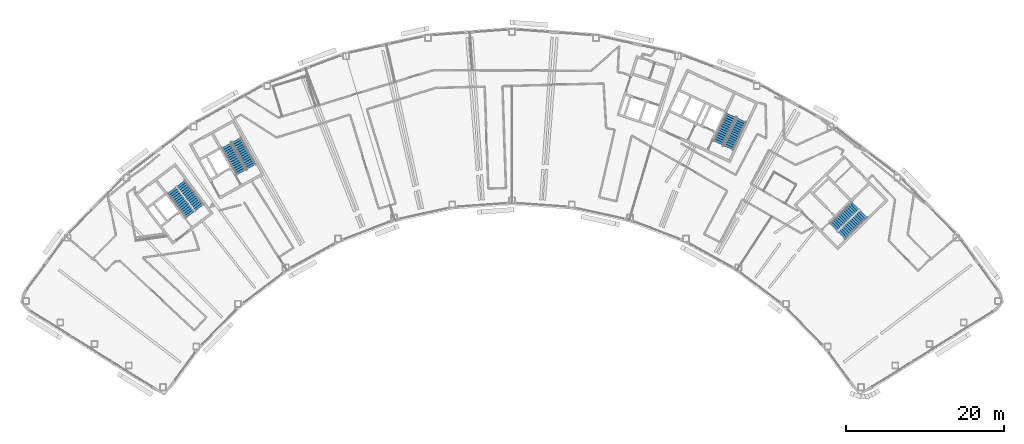
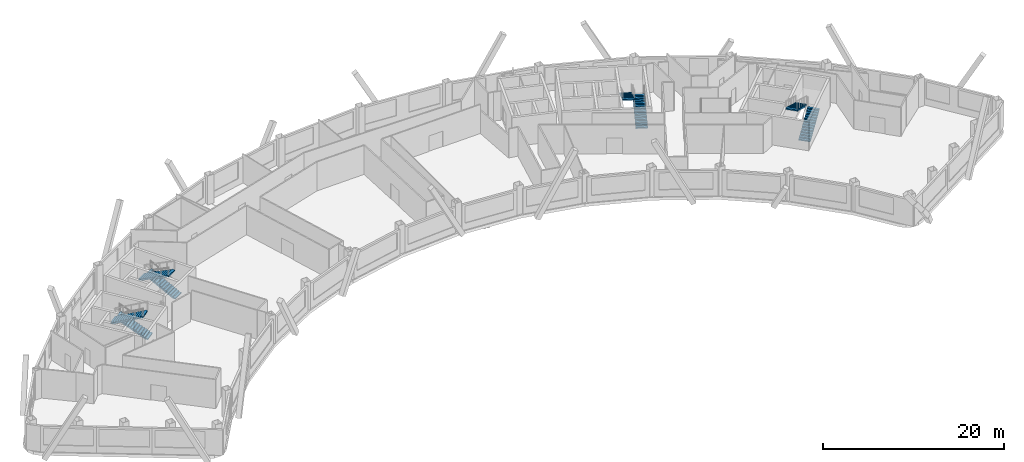
# One storey, part 11 of 13: 8 stair flights, 4 elements without a shape of their own.
"""IFC4 building model written with IfcOpenShell, lengths in metres."""

from ifc_helpers import new_model, si_unit, direction, frame, origin, place, context, subcontext, project, spatial, polyline, outline, extrude, material, type_object, element, aggregate, save


model = new_model("IFC4")

# Units and contexts
model_context = context("Model", 3, precision=1e-05, world=origin(), true_north=direction((0.0, 1.0)))
body_context = subcontext(model_context, "Body", "Model", "MODEL_VIEW")
ifc_project = project(units=[si_unit("LENGTHUNIT", "METRE"), si_unit("AREAUNIT", "SQUARE_METRE"), si_unit("VOLUMEUNIT", "CUBIC_METRE"), si_unit("PLANEANGLEUNIT", "RADIAN"), si_unit("MASSUNIT", "GRAM", prefix="KILO")], contexts=[model_context])

# Site, building, storey
site_placement = place(None, origin())
site = spatial("IfcSite", under=ifc_project, at=site_placement, CompositionType="ELEMENT")
building_placement = place(site_placement, origin())
building = spatial("IfcBuilding", under=site, at=building_placement, Name="Tuul Gate Civic Tower", CompositionType="ELEMENT")
storey_placement = place(building_placement, frame((0.0, 0.0, 285.800048828125)))
storey = spatial("IfcBuildingStorey", under=building, at=storey_placement, Name="Level 64", CompositionType="ELEMENT", Elevation=285.800048828125)

# Stair, stair flights
ifc_material_1 = material(Name="Concrete C40/50", Category="concrete")
stair_type = type_object("IfcStairType", Name="Exit stair", PredefinedType="HALF_TURN_STAIR", material=ifc_material_1)
stair_1_placement = place(storey_placement, origin())
stair_1 = element("IfcStair", 1, at=stair_1_placement, inside=storey, type_object=stair_type, Name="Level 64 ST-1", PredefinedType="HALF_TURN_STAIR")
ifc_material_2 = material(Name="Concrete C40/50", Category="concrete")
stair_flight_type = type_object("IfcStairFlightType", Name="Exit stair flight", PredefinedType="STRAIGHT", material=ifc_material_2)
stair_flight_1_placement = place(storey_placement, frame((-32.875244140625, -13.066650390625, 0.0), z_axis=(0.0, 0.0, 1.0), x_axis=(-0.605764474941, 0.795644016442, 0.0)))
stair_flight_1 = element("IfcStairFlight", 2, at=stair_flight_1_placement, type_object=stair_flight_type, Name="ST-1 flight 1", NumberOfRisers=14, NumberOfTreads=13, PredefinedType="STRAIGHT", RiserHeight=0.15, TreadLength=0.3, context=body_context, shape_type="SweptSolid", body=[
    extrude(outline(polyline([(0.0, 0.0), (0.0, 0.14990234375), (0.300048828125, 0.14990234375), (0.300048828125, 0.300048828125), (0.60009765625, 0.300048828125), (0.60009765625, 0.449951171875), (0.89990234375, 0.449951171875), (0.89990234375, 0.60009765625), (1.199951171875, 0.60009765625), (1.199951171875, 0.75), (1.5, 0.75), (1.5, 0.89990234375), (1.800048828125, 0.89990234375), (1.800048828125, 1.050048828125), (2.10009765625, 1.050048828125), (2.10009765625, 1.199951171875), (2.39990234375, 1.199951171875), (2.39990234375, 1.35009765625), (2.699951171875, 1.35009765625), (2.699951171875, 1.5), (3.0, 1.5), (3.0, 1.64990234375), (3.300048828125, 1.64990234375), (3.300048828125, 1.800048828125), (3.60009765625, 1.800048828125), (3.60009765625, 1.949951171875), (3.89990234375, 1.949951171875), (3.89990234375, 2.10009765625), (3.89990234375, 1.782470703125), (0.335205078125, 0.0), (0.0, 0.0)])), frame((0.0, 0.675048828125, 0.0), z_axis=(0.0, -1.0, 0.0), x_axis=(1.0, 0.0, 0.0)), (0.0, 0.0, 1.0), 1.35009765625),
])
stair_flight_2_placement = place(storey_placement, frame((-36.391357421875, -10.842041015625, 2.099853515625), z_axis=(0.0, 0.0, 1.0), x_axis=(0.605764474941, -0.795644016442, 0.0)))
stair_flight_2 = element("IfcStairFlight", 3, at=stair_flight_2_placement, type_object=stair_flight_type, Name="ST-1 flight 2", NumberOfRisers=14, NumberOfTreads=13, PredefinedType="STRAIGHT", RiserHeight=0.15, TreadLength=0.3, context=body_context, shape_type="SweptSolid", body=[
    extrude(outline(polyline([(0.0, 0.0), (0.0, 0.14990234375), (0.300048828125, 0.14990234375), (0.300048828125, 0.300048828125), (0.60009765625, 0.300048828125), (0.60009765625, 0.449951171875), (0.89990234375, 0.449951171875), (0.89990234375, 0.60009765625), (1.199951171875, 0.60009765625), (1.199951171875, 0.75), (1.5, 0.75), (1.5, 0.89990234375), (1.800048828125, 0.89990234375), (1.800048828125, 1.050048828125), (2.10009765625, 1.050048828125), (2.10009765625, 1.199951171875), (2.39990234375, 1.199951171875), (2.39990234375, 1.35009765625), (2.699951171875, 1.35009765625), (2.699951171875, 1.5), (3.0, 1.5), (3.0, 1.64990234375), (3.300048828125, 1.64990234375), (3.300048828125, 1.800048828125), (3.60009765625, 1.800048828125), (3.60009765625, 1.949951171875), (3.89990234375, 1.949951171875), (3.89990234375, 2.10009765625), (3.89990234375, 1.782470703125), (0.335205078125, 0.0), (0.0, 0.0)])), frame((0.0, 0.675048828125, 0.0), z_axis=(0.0, -1.0, 0.0), x_axis=(1.0, 0.0, 0.0)), (0.0, 0.0, 1.0), 1.35009765625),
])
aggregate(stair_1, [stair_flight_1, stair_flight_2])

stair_2_placement = place(storey_placement, origin())
stair_2 = element("IfcStair", 4, at=stair_2_placement, inside=storey, type_object=stair_type, Name="Level 64 ST-2", PredefinedType="HALF_TURN_STAIR")
stair_flight_3_placement = place(storey_placement, frame((-26.29150390625, -7.87646484375, 0.0), z_axis=(0.0, 0.0, 1.0), x_axis=(-0.484761763766, 0.874646232708, 0.0)))
stair_flight_3 = element("IfcStairFlight", 5, at=stair_flight_3_placement, type_object=stair_flight_type, Name="ST-2 flight 1", NumberOfRisers=14, NumberOfTreads=13, PredefinedType="STRAIGHT", RiserHeight=0.15, TreadLength=0.3, context=body_context, shape_type="SweptSolid", body=[
    extrude(outline(polyline([(0.0, 0.0), (0.0, 0.14990234375), (0.300048828125, 0.14990234375), (0.300048828125, 0.300048828125), (0.60009765625, 0.300048828125), (0.60009765625, 0.449951171875), (0.89990234375, 0.449951171875), (0.89990234375, 0.60009765625), (1.199951171875, 0.60009765625), (1.199951171875, 0.75), (1.5, 0.75), (1.5, 0.89990234375), (1.800048828125, 0.89990234375), (1.800048828125, 1.050048828125), (2.10009765625, 1.050048828125), (2.10009765625, 1.199951171875), (2.39990234375, 1.199951171875), (2.39990234375, 1.35009765625), (2.699951171875, 1.35009765625), (2.699951171875, 1.5), (3.0, 1.5), (3.0, 1.64990234375), (3.300048828125, 1.64990234375), (3.300048828125, 1.800048828125), (3.60009765625, 1.800048828125), (3.60009765625, 1.949951171875), (3.89990234375, 1.949951171875), (3.89990234375, 2.10009765625), (3.89990234375, 1.782470703125), (0.335205078125, 0.0), (0.0, 0.0)])), frame((0.0, 0.675048828125, 0.0), z_axis=(0.0, -1.0, 0.0), x_axis=(1.0, 0.0, 0.0)), (0.0, 0.0, 1.0), 1.35009765625),
])
stair_flight_4_placement = place(storey_placement, frame((-29.450439453125, -5.168212890625, 2.099853515625), z_axis=(0.0, 0.0, 1.0), x_axis=(0.484761763766, -0.874646232708, 0.0)))
stair_flight_4 = element("IfcStairFlight", 6, at=stair_flight_4_placement, type_object=stair_flight_type, Name="ST-2 flight 2", NumberOfRisers=14, NumberOfTreads=13, PredefinedType="STRAIGHT", RiserHeight=0.15, TreadLength=0.3, context=body_context, shape_type="SweptSolid", body=[
    extrude(outline(polyline([(0.0, 0.0), (0.0, 0.14990234375), (0.300048828125, 0.14990234375), (0.300048828125, 0.300048828125), (0.60009765625, 0.300048828125), (0.60009765625, 0.449951171875), (0.89990234375, 0.449951171875), (0.89990234375, 0.60009765625), (1.199951171875, 0.60009765625), (1.199951171875, 0.75), (1.5, 0.75), (1.5, 0.89990234375), (1.800048828125, 0.89990234375), (1.800048828125, 1.050048828125), (2.10009765625, 1.050048828125), (2.10009765625, 1.199951171875), (2.39990234375, 1.199951171875), (2.39990234375, 1.35009765625), (2.699951171875, 1.35009765625), (2.699951171875, 1.5), (3.0, 1.5), (3.0, 1.64990234375), (3.300048828125, 1.64990234375), (3.300048828125, 1.800048828125), (3.60009765625, 1.800048828125), (3.60009765625, 1.949951171875), (3.89990234375, 1.949951171875), (3.89990234375, 2.10009765625), (3.89990234375, 1.782470703125), (0.335205078125, 0.0), (0.0, 0.0)])), frame((0.0, 0.675048828125, 0.0), z_axis=(0.0, -1.0, 0.0), x_axis=(1.0, 0.0, 0.0)), (0.0, 0.0, 1.0), 1.35009765625),
])
aggregate(stair_2, [stair_flight_3, stair_flight_4])

stair_3_placement = place(storey_placement, origin())
stair_3 = element("IfcStair", 7, at=stair_3_placement, inside=storey, type_object=stair_type, Name="Level 64 ST-3", PredefinedType="HALF_TURN_STAIR")
stair_flight_5_placement = place(storey_placement, frame((48.61376953125, -16.581787109375, 0.0), z_axis=(0.0, 0.0, 1.0), x_axis=(0.714127290059, 0.700015866672, 0.0)))
stair_flight_5 = element("IfcStairFlight", 8, at=stair_flight_5_placement, type_object=stair_flight_type, Name="ST-3 flight 1", NumberOfRisers=14, NumberOfTreads=13, PredefinedType="STRAIGHT", RiserHeight=0.15, TreadLength=0.3, context=body_context, shape_type="SweptSolid", body=[
    extrude(outline(polyline([(0.0, 0.0), (0.0, 0.14990234375), (0.300048828125, 0.14990234375), (0.300048828125, 0.300048828125), (0.60009765625, 0.300048828125), (0.60009765625, 0.449951171875), (0.89990234375, 0.449951171875), (0.89990234375, 0.60009765625), (1.199951171875, 0.60009765625), (1.199951171875, 0.75), (1.5, 0.75), (1.5, 0.89990234375), (1.800048828125, 0.89990234375), (1.800048828125, 1.050048828125), (2.10009765625, 1.050048828125), (2.10009765625, 1.199951171875), (2.39990234375, 1.199951171875), (2.39990234375, 1.35009765625), (2.699951171875, 1.35009765625), (2.699951171875, 1.5), (3.0, 1.5), (3.0, 1.64990234375), (3.300048828125, 1.64990234375), (3.300048828125, 1.800048828125), (3.60009765625, 1.800048828125), (3.60009765625, 1.949951171875), (3.89990234375, 1.949951171875), (3.89990234375, 2.10009765625), (3.89990234375, 1.782470703125), (0.335205078125, 0.0), (0.0, 0.0)])), frame((0.0, 0.675048828125, 0.0), z_axis=(0.0, -1.0, 0.0), x_axis=(1.0, 0.0, 0.0)), (0.0, 0.0, 1.0), 1.35009765625),
])
stair_flight_6_placement = place(storey_placement, frame((50.3837890625, -12.816162109375, 2.099853515625), z_axis=(0.0, 0.0, 1.0), x_axis=(-0.714127290059, -0.700015866672, 0.0)))
stair_flight_6 = element("IfcStairFlight", 9, at=stair_flight_6_placement, type_object=stair_flight_type, Name="ST-3 flight 2", NumberOfRisers=14, NumberOfTreads=13, PredefinedType="STRAIGHT", RiserHeight=0.15, TreadLength=0.3, context=body_context, shape_type="SweptSolid", body=[
    extrude(outline(polyline([(0.0, 0.0), (0.0, 0.14990234375), (0.300048828125, 0.14990234375), (0.300048828125, 0.300048828125), (0.60009765625, 0.300048828125), (0.60009765625, 0.449951171875), (0.89990234375, 0.449951171875), (0.89990234375, 0.60009765625), (1.199951171875, 0.60009765625), (1.199951171875, 0.75), (1.5, 0.75), (1.5, 0.89990234375), (1.800048828125, 0.89990234375), (1.800048828125, 1.050048828125), (2.10009765625, 1.050048828125), (2.10009765625, 1.199951171875), (2.39990234375, 1.199951171875), (2.39990234375, 1.35009765625), (2.699951171875, 1.35009765625), (2.699951171875, 1.5), (3.0, 1.5), (3.0, 1.64990234375), (3.300048828125, 1.64990234375), (3.300048828125, 1.800048828125), (3.60009765625, 1.800048828125), (3.60009765625, 1.949951171875), (3.89990234375, 1.949951171875), (3.89990234375, 2.10009765625), (3.89990234375, 1.782470703125), (0.335205078125, 0.0), (0.0, 0.0)])), frame((0.0, 0.675048828125, 0.0), z_axis=(0.0, -1.0, 0.0), x_axis=(1.0, 0.0, 0.0)), (0.0, 0.0, 1.0), 1.35009765625),
])
aggregate(stair_3, [stair_flight_5, stair_flight_6])

stair_4_placement = place(storey_placement, origin())
stair_4 = element("IfcStair", 10, at=stair_4_placement, inside=storey, type_object=stair_type, Name="Level 64 ST-4", PredefinedType="HALF_TURN_STAIR")
stair_flight_7_placement = place(storey_placement, frame((34.278564453125, -5.478515625, 0.0), z_axis=(0.0, 0.0, 1.0), x_axis=(0.422576295988, 0.906327354806, 0.0)))
stair_flight_7 = element("IfcStairFlight", 11, at=stair_flight_7_placement, type_object=stair_flight_type, Name="ST-4 flight 1", NumberOfRisers=14, NumberOfTreads=13, PredefinedType="STRAIGHT", RiserHeight=0.15, TreadLength=0.3, context=body_context, shape_type="SweptSolid", body=[
    extrude(outline(polyline([(0.0, 0.0), (0.0, 0.14990234375), (0.300048828125, 0.14990234375), (0.300048828125, 0.300048828125), (0.60009765625, 0.300048828125), (0.60009765625, 0.449951171875), (0.89990234375, 0.449951171875), (0.89990234375, 0.60009765625), (1.199951171875, 0.60009765625), (1.199951171875, 0.75), (1.5, 0.75), (1.5, 0.89990234375), (1.800048828125, 0.89990234375), (1.800048828125, 1.050048828125), (2.10009765625, 1.050048828125), (2.10009765625, 1.199951171875), (2.39990234375, 1.199951171875), (2.39990234375, 1.35009765625), (2.699951171875, 1.35009765625), (2.699951171875, 1.5), (3.0, 1.5), (3.0, 1.64990234375), (3.300048828125, 1.64990234375), (3.300048828125, 1.800048828125), (3.60009765625, 1.800048828125), (3.60009765625, 1.949951171875), (3.89990234375, 1.949951171875), (3.89990234375, 2.10009765625), (3.89990234375, 1.782470703125), (0.335205078125, 0.0), (0.0, 0.0)])), frame((0.0, 0.675048828125, 0.0), z_axis=(0.0, -1.0, 0.0), x_axis=(1.0, 0.0, 0.0)), (0.0, 0.0, 1.0), 1.35009765625),
])
stair_flight_8_placement = place(storey_placement, frame((34.612548828125, -1.3310546875, 2.099853515625), z_axis=(0.0, 0.0, 1.0), x_axis=(-0.422576295988, -0.906327354806, 0.0)))
stair_flight_8 = element("IfcStairFlight", 12, at=stair_flight_8_placement, type_object=stair_flight_type, Name="ST-4 flight 2", NumberOfRisers=14, NumberOfTreads=13, PredefinedType="STRAIGHT", RiserHeight=0.15, TreadLength=0.3, context=body_context, shape_type="SweptSolid", body=[
    extrude(outline(polyline([(0.0, 0.0), (0.0, 0.14990234375), (0.300048828125, 0.14990234375), (0.300048828125, 0.300048828125), (0.60009765625, 0.300048828125), (0.60009765625, 0.449951171875), (0.89990234375, 0.449951171875), (0.89990234375, 0.60009765625), (1.199951171875, 0.60009765625), (1.199951171875, 0.75), (1.5, 0.75), (1.5, 0.89990234375), (1.800048828125, 0.89990234375), (1.800048828125, 1.050048828125), (2.10009765625, 1.050048828125), (2.10009765625, 1.199951171875), (2.39990234375, 1.199951171875), (2.39990234375, 1.35009765625), (2.699951171875, 1.35009765625), (2.699951171875, 1.5), (3.0, 1.5), (3.0, 1.64990234375), (3.300048828125, 1.64990234375), (3.300048828125, 1.800048828125), (3.60009765625, 1.800048828125), (3.60009765625, 1.949951171875), (3.89990234375, 1.949951171875), (3.89990234375, 2.10009765625), (3.89990234375, 1.782470703125), (0.335205078125, 0.0), (0.0, 0.0)])), frame((0.0, 0.675048828125, 0.0), z_axis=(0.0, -1.0, 0.0), x_axis=(1.0, 0.0, 0.0)), (0.0, 0.0, 1.0), 1.35009765625),
])
aggregate(stair_4, [stair_flight_7, stair_flight_8])

save(model, "model.ifc")
